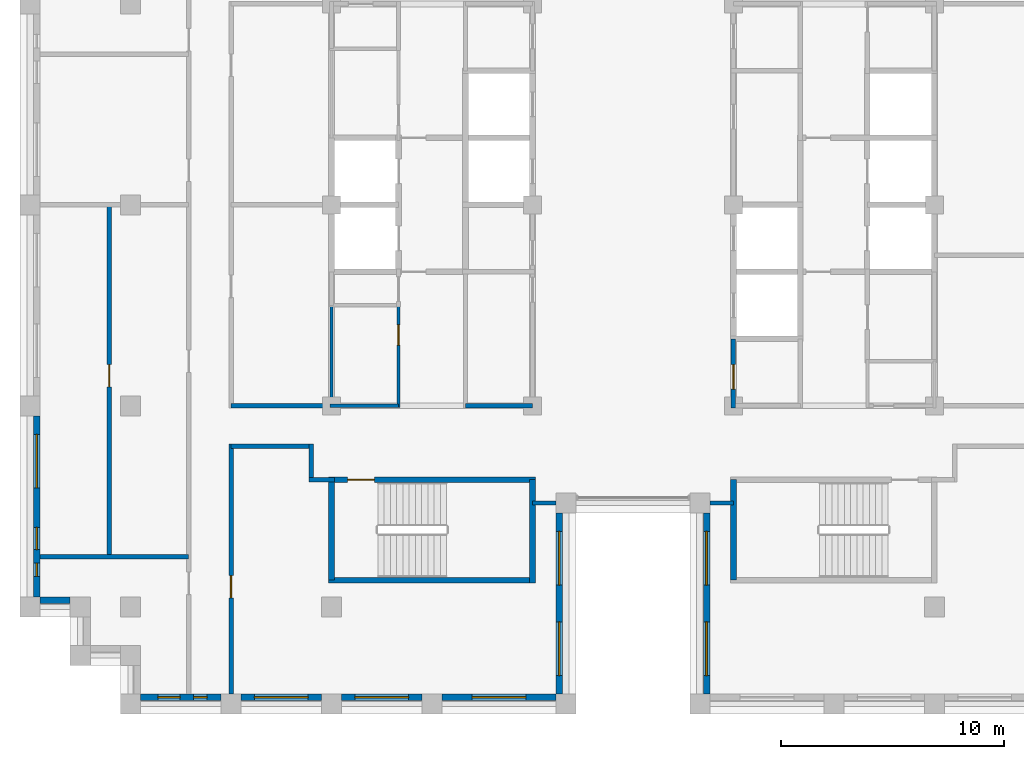
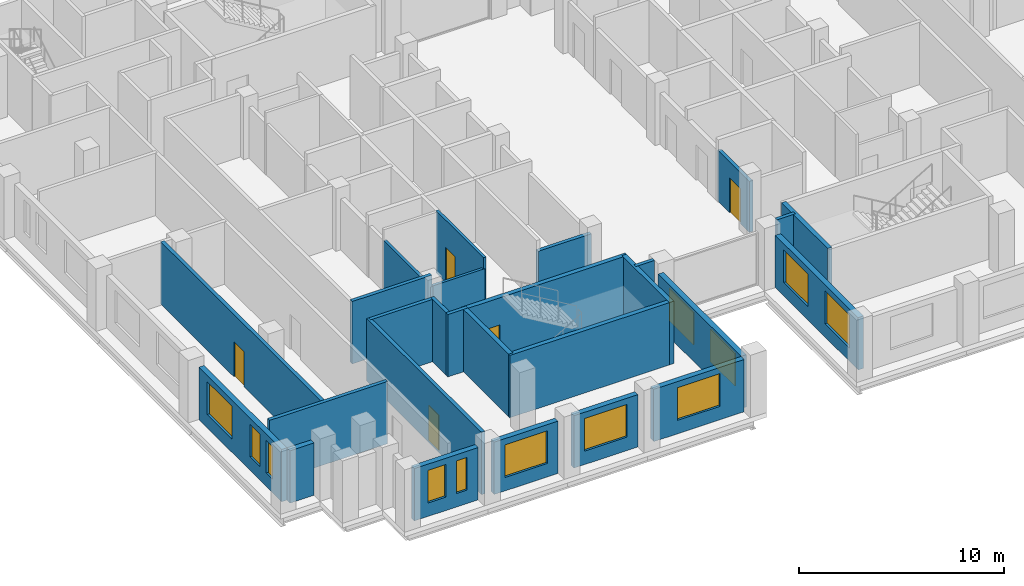
# One storey, part 6 of 13: 27 walls, 12 windows, 5 doors, 17 openings.
"""IFC4 building model written with IfcOpenShell, lengths in metres."""

from ifc_helpers import new_model, si_unit, direction, frame, frame_2d, origin, place, context, subcontext, project, spatial, rectangle, extrude, material, layer, layer_set, type_object, element, fill, save


model = new_model("IFC4")

# Units and contexts
model_context = context("Model", 3, precision=1e-05, world=origin(), true_north=direction((0.0, 1.0)))
body_context = subcontext(model_context, "Body", "Model", "MODEL_VIEW")
ifc_project = project(units=[si_unit("LENGTHUNIT", "METRE"), si_unit("AREAUNIT", "SQUARE_METRE"), si_unit("VOLUMEUNIT", "CUBIC_METRE"), si_unit("PLANEANGLEUNIT", "RADIAN"), si_unit("MASSUNIT", "GRAM", prefix="KILO")], contexts=[model_context])

# Site, building, storey
site_placement = place(None, origin())
site = spatial("IfcSite", under=ifc_project, at=site_placement, CompositionType="ELEMENT")
building_placement = place(site_placement, origin())
building = spatial("IfcBuilding", under=site, at=building_placement, Name="Corbelhall Arena Tower", CompositionType="ELEMENT")
storey_placement = place(building_placement, frame((0.0, 0.0, 270.0)))
storey = spatial("IfcBuildingStorey", under=building, at=storey_placement, Name="L58", CompositionType="ELEMENT", Elevation=270.0)

# Wall, openings, windows
ifc_material_1 = material(Name="Precast concrete C40/50 with granite facing", Category="masonry")
ifc_layer_1 = layer(ifc_material_1, 0.300048828125)
ifc_layer_set_1 = layer_set([ifc_layer_1], Name="EV-IW1 Infill panel 300")
wall_type_1 = type_object("IfcWallType", Name="EV-IW1 Infill panel 300", PredefinedType="SOLIDWALL", material=ifc_layer_set_1)
wall_1_placement = place(storey_placement, frame((-26.699951171875, -9.449951171875, 0.0), z_axis=(0.0, 0.0, 1.0), x_axis=(0.0, -1.0, 0.0)))
wall_1 = element("IfcWall", 1, at=wall_1_placement, inside=storey, type_object=wall_type_1, Name="Infill panel IW1", PredefinedType="SOLIDWALL", context=body_context, shape_type="SweptSolid", body=[
    extrude(rectangle(XDim=8.10009765625, YDim=0.300048828125, at=frame_2d((4.050048828125, 0.0))), origin(), (0.0, 0.0, 1.0), 3.1201171875),
])
opening_1_placement = place(wall_1_placement, frame((0.824951171875, 0.0, 0.800048828125)))
opening_1 = element("IfcOpeningElement", 2, at=opening_1_placement, cuts=wall_1, Name="Opening WN1", PredefinedType="OPENING", context=body_context, shape_type="SweptSolid", body=[
    extrude(rectangle(XDim=2.39990234375, YDim=1.949951171875, at=frame_2d((1.199951171875, 0.97509765625))), frame((0.0, 0.14990234375, 0.0), z_axis=(0.0, -1.0, 0.0), x_axis=(1.0, 0.0, 0.0)), (0.0, 0.0, 1.0), 0.300048828125),
])
opening_2_placement = place(wall_1_placement, frame((4.987548828125, 0.0, 0.800048828125)))
opening_2 = element("IfcOpeningElement", 3, at=opening_2_placement, cuts=wall_1, Name="Opening WN6", PredefinedType="OPENING", context=body_context, shape_type="SweptSolid", body=[
    extrude(rectangle(XDim=1.0, YDim=1.949951171875, at=frame_2d((0.5, 0.97509765625))), frame((0.0, 0.14990234375, 0.0), z_axis=(0.0, -1.0, 0.0), x_axis=(1.0, 0.0, 0.0)), (0.0, 0.0, 1.0), 0.300048828125),
])
opening_3_placement = place(wall_1_placement, frame((6.58740234375, 0.0, 0.800048828125)))
opening_3 = element("IfcOpeningElement", 4, at=opening_3_placement, cuts=wall_1, Name="Opening WN5", PredefinedType="OPENING", context=body_context, shape_type="SweptSolid", body=[
    extrude(rectangle(XDim=0.60009765625, YDim=1.949951171875, at=frame_2d((0.300048828125, 0.97509765625))), frame((0.0, 0.14990234375, 0.0), z_axis=(0.0, -1.0, 0.0), x_axis=(1.0, 0.0, 0.0)), (0.0, 0.0, 1.0), 0.300048828125),
])
ifc_material_2 = material(Name="Aluminium black anodised", Category="aluminium")
window_type_1 = type_object("IfcWindowType", Name="EV-WN1 Office window", PartitioningType="SINGLE_PANEL", PredefinedType="WINDOW", material=ifc_material_2)
window_1_placement = place(opening_1_placement, origin())
window_1 = element("IfcWindow", 5, at=window_1_placement, inside=storey, type_object=window_type_1, Name="Window WN1", OverallHeight=1.949951171875, OverallWidth=2.39990234375, PartitioningType="SINGLE_PANEL", PredefinedType="WINDOW", context=body_context, shape_type="SweptSolid", body=[
    extrude(rectangle(XDim=2.39990234375, YDim=1.949951171875, at=frame_2d((1.199951171875, 0.97509765625))), frame((0.0, 0.030029296875, 0.0), z_axis=(0.0, -1.0, 0.0), x_axis=(1.0, 0.0, 0.0)), (0.0, 0.0, 1.0), 0.06005859375),
])
fill(opening_1, window_1)
window_type_2 = type_object("IfcWindowType", Name="EV-WN5 Office window 600", PartitioningType="SINGLE_PANEL", PredefinedType="WINDOW", material=ifc_material_2)
window_2_placement = place(opening_3_placement, origin())
window_2 = element("IfcWindow", 6, at=window_2_placement, inside=storey, type_object=window_type_2, Name="Window WN5", OverallHeight=1.949951171875, OverallWidth=0.60009765625, PartitioningType="SINGLE_PANEL", PredefinedType="WINDOW", context=body_context, shape_type="SweptSolid", body=[
    extrude(rectangle(XDim=0.60009765625, YDim=1.949951171875, at=frame_2d((0.300048828125, 0.97509765625))), frame((0.0, 0.030029296875, 0.0), z_axis=(0.0, -1.0, 0.0), x_axis=(1.0, 0.0, 0.0)), (0.0, 0.0, 1.0), 0.06005859375),
])
fill(opening_3, window_2)
window_type_3 = type_object("IfcWindowType", Name="EV-WN6 Office window 1000", PartitioningType="SINGLE_PANEL", PredefinedType="WINDOW", material=ifc_material_2)
window_3_placement = place(opening_2_placement, origin())
window_3 = element("IfcWindow", 7, at=window_3_placement, inside=storey, type_object=window_type_3, Name="Window WN6", OverallHeight=1.949951171875, OverallWidth=1.0, PartitioningType="SINGLE_PANEL", PredefinedType="WINDOW", context=body_context, shape_type="SweptSolid", body=[
    extrude(rectangle(XDim=1.0, YDim=1.949951171875, at=frame_2d((0.5, 0.97509765625))), frame((0.0, 0.030029296875, 0.0), z_axis=(0.0, -1.0, 0.0), x_axis=(1.0, 0.0, 0.0)), (0.0, 0.0, 1.0), 0.06005859375),
])
fill(opening_2, window_3)

# Wall
wall_2_placement = place(storey_placement, frame((-26.550048828125, -17.699951171875, 0.0), z_axis=(0.0, 0.0, 1.0), x_axis=(1.0, 0.0, 0.0)))
element("IfcWall", 8, at=wall_2_placement, inside=storey, type_object=wall_type_1, Name="Infill panel IW1", PredefinedType="SOLIDWALL", context=body_context, shape_type="SweptSolid", body=[
    extrude(rectangle(XDim=1.35009765625, YDim=0.300048828125, at=frame_2d((0.675048828125, 0.0))), origin(), (0.0, 0.0, 1.0), 3.1201171875),
])

# Wall, openings, windows
wall_3_placement = place(storey_placement, frame((-22.050048828125, -22.050048828125, 0.0), z_axis=(0.0, 0.0, 1.0), x_axis=(1.0, 0.0, 0.0)))
wall_3 = element("IfcWall", 9, at=wall_3_placement, inside=storey, type_object=wall_type_1, Name="Infill panel IW1", PredefinedType="SOLIDWALL", context=body_context, shape_type="SweptSolid", body=[
    extrude(rectangle(XDim=3.60009765625, YDim=0.300048828125, at=frame_2d((1.800048828125, 0.0))), origin(), (0.0, 0.0, 1.0), 3.1201171875),
])
opening_4_placement = place(wall_3_placement, frame((0.77490234375, 0.0, 0.800048828125)))
opening_4 = element("IfcOpeningElement", 10, at=opening_4_placement, cuts=wall_3, Name="Opening WN6", PredefinedType="OPENING", context=body_context, shape_type="SweptSolid", body=[
    extrude(rectangle(XDim=1.0, YDim=1.949951171875, at=frame_2d((0.5, 0.97509765625))), frame((0.0, 0.14990234375, 0.0), z_axis=(0.0, -1.0, 0.0), x_axis=(1.0, 0.0, 0.0)), (0.0, 0.0, 1.0), 0.300048828125),
])
opening_5_placement = place(wall_3_placement, frame((2.375, 0.0, 0.800048828125)))
opening_5 = element("IfcOpeningElement", 11, at=opening_5_placement, cuts=wall_3, Name="Opening WN5", PredefinedType="OPENING", context=body_context, shape_type="SweptSolid", body=[
    extrude(rectangle(XDim=0.60009765625, YDim=1.949951171875, at=frame_2d((0.300048828125, 0.97509765625))), frame((0.0, 0.14990234375, 0.0), z_axis=(0.0, -1.0, 0.0), x_axis=(1.0, 0.0, 0.0)), (0.0, 0.0, 1.0), 0.300048828125),
])
window_4_placement = place(opening_5_placement, origin())
window_4 = element("IfcWindow", 12, at=window_4_placement, inside=storey, type_object=window_type_2, Name="Window WN5", OverallHeight=1.949951171875, OverallWidth=0.60009765625, PartitioningType="SINGLE_PANEL", PredefinedType="WINDOW", context=body_context, shape_type="SweptSolid", body=[
    extrude(rectangle(XDim=0.60009765625, YDim=1.949951171875, at=frame_2d((0.300048828125, 0.97509765625))), frame((0.0, 0.030029296875, 0.0), z_axis=(0.0, -1.0, 0.0), x_axis=(1.0, 0.0, 0.0)), (0.0, 0.0, 1.0), 0.06005859375),
])
fill(opening_5, window_4)
window_5_placement = place(opening_4_placement, origin())
window_5 = element("IfcWindow", 13, at=window_5_placement, inside=storey, type_object=window_type_3, Name="Window WN6", OverallHeight=1.949951171875, OverallWidth=1.0, PartitioningType="SINGLE_PANEL", PredefinedType="WINDOW", context=body_context, shape_type="SweptSolid", body=[
    extrude(rectangle(XDim=1.0, YDim=1.949951171875, at=frame_2d((0.5, 0.97509765625))), frame((0.0, 0.030029296875, 0.0), z_axis=(0.0, -1.0, 0.0), x_axis=(1.0, 0.0, 0.0)), (0.0, 0.0, 1.0), 0.06005859375),
])
fill(opening_4, window_5)

# Wall, opening, window
wall_4_placement = place(storey_placement, frame((-17.550048828125, -22.050048828125, 0.0), z_axis=(0.0, 0.0, 1.0), x_axis=(1.0, 0.0, 0.0)))
wall_4 = element("IfcWall", 14, at=wall_4_placement, inside=storey, type_object=wall_type_1, Name="Infill panel IW1", PredefinedType="SOLIDWALL", context=body_context, shape_type="SweptSolid", body=[
    extrude(rectangle(XDim=3.60009765625, YDim=0.300048828125, at=frame_2d((1.800048828125, 0.0))), origin(), (0.0, 0.0, 1.0), 3.1201171875),
])
opening_6_placement = place(wall_4_placement, frame((0.60009765625, 0.0, 0.800048828125)))
opening_6 = element("IfcOpeningElement", 15, at=opening_6_placement, cuts=wall_4, Name="Opening WN1", PredefinedType="OPENING", context=body_context, shape_type="SweptSolid", body=[
    extrude(rectangle(XDim=2.39990234375, YDim=1.949951171875, at=frame_2d((1.199951171875, 0.97509765625))), frame((0.0, 0.14990234375, 0.0), z_axis=(0.0, -1.0, 0.0), x_axis=(1.0, 0.0, 0.0)), (0.0, 0.0, 1.0), 0.300048828125),
])
window_6_placement = place(opening_6_placement, origin())
window_6 = element("IfcWindow", 16, at=window_6_placement, inside=storey, type_object=window_type_1, Name="Window WN1", OverallHeight=1.949951171875, OverallWidth=2.39990234375, PartitioningType="SINGLE_PANEL", PredefinedType="WINDOW", context=body_context, shape_type="SweptSolid", body=[
    extrude(rectangle(XDim=2.39990234375, YDim=1.949951171875, at=frame_2d((1.199951171875, 0.97509765625))), frame((0.0, 0.030029296875, 0.0), z_axis=(0.0, -1.0, 0.0), x_axis=(1.0, 0.0, 0.0)), (0.0, 0.0, 1.0), 0.06005859375),
])
fill(opening_6, window_6)

wall_5_placement = place(storey_placement, frame((-13.050048828125, -22.050048828125, 0.0), z_axis=(0.0, 0.0, 1.0), x_axis=(1.0, 0.0, 0.0)))
wall_5 = element("IfcWall", 17, at=wall_5_placement, inside=storey, type_object=wall_type_1, Name="Infill panel IW1", PredefinedType="SOLIDWALL", context=body_context, shape_type="SweptSolid", body=[
    extrude(rectangle(XDim=3.60009765625, YDim=0.300048828125, at=frame_2d((1.800048828125, 0.0))), origin(), (0.0, 0.0, 1.0), 3.1201171875),
])
opening_7_placement = place(wall_5_placement, frame((0.60009765625, 0.0, 0.800048828125)))
opening_7 = element("IfcOpeningElement", 18, at=opening_7_placement, cuts=wall_5, Name="Opening WN1", PredefinedType="OPENING", context=body_context, shape_type="SweptSolid", body=[
    extrude(rectangle(XDim=2.39990234375, YDim=1.949951171875, at=frame_2d((1.199951171875, 0.97509765625))), frame((0.0, 0.14990234375, 0.0), z_axis=(0.0, -1.0, 0.0), x_axis=(1.0, 0.0, 0.0)), (0.0, 0.0, 1.0), 0.300048828125),
])
window_7_placement = place(opening_7_placement, origin())
window_7 = element("IfcWindow", 19, at=window_7_placement, inside=storey, type_object=window_type_1, Name="Window WN1", OverallHeight=1.949951171875, OverallWidth=2.39990234375, PartitioningType="SINGLE_PANEL", PredefinedType="WINDOW", context=body_context, shape_type="SweptSolid", body=[
    extrude(rectangle(XDim=2.39990234375, YDim=1.949951171875, at=frame_2d((1.199951171875, 0.97509765625))), frame((0.0, 0.030029296875, 0.0), z_axis=(0.0, -1.0, 0.0), x_axis=(1.0, 0.0, 0.0)), (0.0, 0.0, 1.0), 0.06005859375),
])
fill(opening_7, window_7)

wall_6_placement = place(storey_placement, frame((-8.550048828125, -22.050048828125, 0.0), z_axis=(0.0, 0.0, 1.0), x_axis=(1.0, 0.0, 0.0)))
wall_6 = element("IfcWall", 20, at=wall_6_placement, inside=storey, type_object=wall_type_1, Name="Infill panel IW1", PredefinedType="SOLIDWALL", context=body_context, shape_type="SweptSolid", body=[
    extrude(rectangle(XDim=5.10009765625, YDim=0.300048828125, at=frame_2d((2.550048828125, 0.0))), origin(), (0.0, 0.0, 1.0), 3.1201171875),
])
opening_8_placement = place(wall_6_placement, frame((1.35009765625, 0.0, 0.800048828125)))
opening_8 = element("IfcOpeningElement", 21, at=opening_8_placement, cuts=wall_6, Name="Opening WN1", PredefinedType="OPENING", context=body_context, shape_type="SweptSolid", body=[
    extrude(rectangle(XDim=2.39990234375, YDim=1.949951171875, at=frame_2d((1.199951171875, 0.97509765625))), frame((0.0, 0.14990234375, 0.0), z_axis=(0.0, -1.0, 0.0), x_axis=(1.0, 0.0, 0.0)), (0.0, 0.0, 1.0), 0.300048828125),
])
window_8_placement = place(opening_8_placement, origin())
window_8 = element("IfcWindow", 22, at=window_8_placement, inside=storey, type_object=window_type_1, Name="Window WN1", OverallHeight=1.949951171875, OverallWidth=2.39990234375, PartitioningType="SINGLE_PANEL", PredefinedType="WINDOW", context=body_context, shape_type="SweptSolid", body=[
    extrude(rectangle(XDim=2.39990234375, YDim=1.949951171875, at=frame_2d((1.199951171875, 0.97509765625))), frame((0.0, 0.030029296875, 0.0), z_axis=(0.0, -1.0, 0.0), x_axis=(1.0, 0.0, 0.0)), (0.0, 0.0, 1.0), 0.06005859375),
])
fill(opening_8, window_8)

# Wall, openings, windows
wall_7_placement = place(storey_placement, frame((-3.300048828125, -21.89990234375, 0.0), z_axis=(0.0, 0.0, 1.0), x_axis=(0.0, 1.0, 0.0)))
wall_7 = element("IfcWall", 23, at=wall_7_placement, inside=storey, type_object=wall_type_1, Name="Infill panel IW1", PredefinedType="SOLIDWALL", context=body_context, shape_type="SweptSolid", body=[
    extrude(rectangle(XDim=8.099853515625, YDim=0.300048828125, at=frame_2d((4.0498046875, 0.0))), origin(), (0.0, 0.0, 1.0), 3.1201171875),
])
opening_9_placement = place(wall_7_placement, frame((0.824951171875, 0.0, 0.800048828125)))
opening_9 = element("IfcOpeningElement", 24, at=opening_9_placement, cuts=wall_7, Name="Opening WN1", PredefinedType="OPENING", context=body_context, shape_type="SweptSolid", body=[
    extrude(rectangle(XDim=2.39990234375, YDim=1.949951171875, at=frame_2d((1.199951171875, 0.97509765625))), frame((0.0, 0.14990234375, 0.0), z_axis=(0.0, -1.0, 0.0), x_axis=(1.0, 0.0, 0.0)), (0.0, 0.0, 1.0), 0.300048828125),
])
opening_10_placement = place(wall_7_placement, frame((4.875, 0.0, 0.800048828125)))
opening_10 = element("IfcOpeningElement", 25, at=opening_10_placement, cuts=wall_7, Name="Opening WN1", PredefinedType="OPENING", context=body_context, shape_type="SweptSolid", body=[
    extrude(rectangle(XDim=2.39990234375, YDim=1.949951171875, at=frame_2d((1.199951171875, 0.97509765625))), frame((0.0, 0.14990234375, 0.0), z_axis=(0.0, -1.0, 0.0), x_axis=(1.0, 0.0, 0.0)), (0.0, 0.0, 1.0), 0.300048828125),
])
window_9_placement = place(opening_9_placement, origin())
window_9 = element("IfcWindow", 26, at=window_9_placement, inside=storey, type_object=window_type_1, Name="Window WN1", OverallHeight=1.949951171875, OverallWidth=2.39990234375, PartitioningType="SINGLE_PANEL", PredefinedType="WINDOW", context=body_context, shape_type="SweptSolid", body=[
    extrude(rectangle(XDim=2.39990234375, YDim=1.949951171875, at=frame_2d((1.199951171875, 0.97509765625))), frame((0.0, 0.030029296875, 0.0), z_axis=(0.0, -1.0, 0.0), x_axis=(1.0, 0.0, 0.0)), (0.0, 0.0, 1.0), 0.06005859375),
])
fill(opening_9, window_9)
window_10_placement = place(opening_10_placement, origin())
window_10 = element("IfcWindow", 27, at=window_10_placement, inside=storey, type_object=window_type_1, Name="Window WN1", OverallHeight=1.949951171875, OverallWidth=2.39990234375, PartitioningType="SINGLE_PANEL", PredefinedType="WINDOW", context=body_context, shape_type="SweptSolid", body=[
    extrude(rectangle(XDim=2.39990234375, YDim=1.949951171875, at=frame_2d((1.199951171875, 0.97509765625))), frame((0.0, 0.030029296875, 0.0), z_axis=(0.0, -1.0, 0.0), x_axis=(1.0, 0.0, 0.0)), (0.0, 0.0, 1.0), 0.06005859375),
])
fill(opening_10, window_10)

wall_8_placement = place(storey_placement, frame((3.300048828125, -13.800048828125, 0.0), z_axis=(0.0, 0.0, 1.0), x_axis=(0.0, -1.0, 0.0)))
wall_8 = element("IfcWall", 28, at=wall_8_placement, inside=storey, type_object=wall_type_1, Name="Infill panel IW1", PredefinedType="SOLIDWALL", context=body_context, shape_type="SweptSolid", body=[
    extrude(rectangle(XDim=8.099853515625, YDim=0.300048828125, at=frame_2d((4.0498046875, 0.0))), origin(), (0.0, 0.0, 1.0), 3.1201171875),
])
opening_11_placement = place(wall_8_placement, frame((0.824951171875, 0.0, 0.800048828125)))
opening_11 = element("IfcOpeningElement", 29, at=opening_11_placement, cuts=wall_8, Name="Opening WN1", PredefinedType="OPENING", context=body_context, shape_type="SweptSolid", body=[
    extrude(rectangle(XDim=2.39990234375, YDim=1.949951171875, at=frame_2d((1.199951171875, 0.97509765625))), frame((0.0, 0.14990234375, 0.0), z_axis=(0.0, -1.0, 0.0), x_axis=(1.0, 0.0, 0.0)), (0.0, 0.0, 1.0), 0.300048828125),
])
opening_12_placement = place(wall_8_placement, frame((4.875, 0.0, 0.800048828125)))
opening_12 = element("IfcOpeningElement", 30, at=opening_12_placement, cuts=wall_8, Name="Opening WN1", PredefinedType="OPENING", context=body_context, shape_type="SweptSolid", body=[
    extrude(rectangle(XDim=2.39990234375, YDim=1.949951171875, at=frame_2d((1.199951171875, 0.97509765625))), frame((0.0, 0.14990234375, 0.0), z_axis=(0.0, -1.0, 0.0), x_axis=(1.0, 0.0, 0.0)), (0.0, 0.0, 1.0), 0.300048828125),
])
window_11_placement = place(opening_11_placement, origin())
window_11 = element("IfcWindow", 31, at=window_11_placement, inside=storey, type_object=window_type_1, Name="Window WN1", OverallHeight=1.949951171875, OverallWidth=2.39990234375, PartitioningType="SINGLE_PANEL", PredefinedType="WINDOW", context=body_context, shape_type="SweptSolid", body=[
    extrude(rectangle(XDim=2.39990234375, YDim=1.949951171875, at=frame_2d((1.199951171875, 0.97509765625))), frame((0.0, 0.030029296875, 0.0), z_axis=(0.0, -1.0, 0.0), x_axis=(1.0, 0.0, 0.0)), (0.0, 0.0, 1.0), 0.06005859375),
])
fill(opening_11, window_11)
window_12_placement = place(opening_12_placement, origin())
window_12 = element("IfcWindow", 32, at=window_12_placement, inside=storey, type_object=window_type_1, Name="Window WN1", OverallHeight=1.949951171875, OverallWidth=2.39990234375, PartitioningType="SINGLE_PANEL", PredefinedType="WINDOW", context=body_context, shape_type="SweptSolid", body=[
    extrude(rectangle(XDim=2.39990234375, YDim=1.949951171875, at=frame_2d((1.199951171875, 0.97509765625))), frame((0.0, 0.030029296875, 0.0), z_axis=(0.0, -1.0, 0.0), x_axis=(1.0, 0.0, 0.0)), (0.0, 0.0, 1.0), 0.06005859375),
])
fill(opening_12, window_12)

# Wall
ifc_material_3 = material(Name="Gypsum board on steel stud, acoustic", Category="steel")
ifc_layer_2 = layer(ifc_material_3, 0.199951171875)
ifc_layer_set_2 = layer_set([ifc_layer_2], Name="IN-W-DM200")
wall_type_2 = type_object("IfcWallType", Name="IN-W-DM200", PredefinedType="PARTITIONING", material=ifc_layer_set_2)
wall_9_placement = place(storey_placement, frame((-26.550048828125, -15.75, 0.0), z_axis=(0.0, 0.0, 1.0), x_axis=(1.0, 0.0, 0.0)))
element("IfcWall", 33, at=wall_9_placement, inside=storey, type_object=wall_type_2, Name="Partition 001", PredefinedType="PARTITIONING", context=body_context, shape_type="SweptSolid", body=[
    extrude(rectangle(XDim=6.650146484375, YDim=0.199951171875, at=frame_2d((3.3251953125, 0.0))), origin(), (0.0, 0.0, 1.0), 3.719970703125),
])

# Wall, opening, door
wall_10_placement = place(storey_placement, frame((-23.449951171875, -15.75, 0.0), z_axis=(0.0, 0.0, 1.0), x_axis=(0.0, 1.0, 0.0)))
wall_10 = element("IfcWall", 34, at=wall_10_placement, inside=storey, type_object=wall_type_2, Name="Partition 004", PredefinedType="PARTITIONING", context=body_context, shape_type="SweptSolid", body=[
    extrude(rectangle(XDim=15.75, YDim=0.199951171875, at=frame_2d((7.875, 0.0))), origin(), (0.0, 0.0, 1.0), 3.719970703125),
])
opening_13_placement = place(wall_10_placement, frame((7.60009765625, 0.0, 0.0)))
opening_13 = element("IfcOpeningElement", 35, at=opening_13_placement, cuts=wall_10, Name="Opening 18035", PredefinedType="OPENING", context=body_context, shape_type="SweptSolid", body=[
    extrude(rectangle(XDim=1.0, YDim=2.10009765625, at=frame_2d((0.5, 1.050048828125))), frame((0.0, 0.10009765625, 0.0), z_axis=(0.0, -1.0, 0.0), x_axis=(1.0, 0.0, 0.0)), (0.0, 0.0, 1.0), 0.199951171875),
])
ifc_material_4 = material(Name="Steel door set", Category="steel")
door_type_1 = type_object("IfcDoorType", Name="IN-D-SW100", OperationType="NOTDEFINED", PredefinedType="DOOR", material=ifc_material_4)
door_1_placement = place(opening_13_placement, origin())
door_1 = element("IfcDoor", 36, at=door_1_placement, inside=storey, type_object=door_type_1, Name="Door 035", OperationType="SINGLE_SWING_RIGHT", OverallHeight=2.10009765625, OverallWidth=1.0, PredefinedType="DOOR", context=body_context, shape_type="SweptSolid", body=[
    extrude(rectangle(XDim=1.0, YDim=2.10009765625, at=frame_2d((0.5, 1.050048828125))), frame((0.0, 0.02490234375, 0.0), z_axis=(0.0, -1.0, 0.0), x_axis=(1.0, 0.0, 0.0)), (0.0, 0.0, 1.0), 0.050048828125),
])
fill(opening_13, door_1)

wall_11_placement = place(storey_placement, frame((-18.0, -10.699951171875, 0.0), z_axis=(0.0, 0.0, 1.0), x_axis=(0.0, -1.0, 0.0)))
wall_11 = element("IfcWall", 37, at=wall_11_placement, inside=storey, type_object=wall_type_2, Name="Partition 009", PredefinedType="PARTITIONING", context=body_context, shape_type="SweptSolid", body=[
    extrude(rectangle(XDim=11.199951171875, YDim=0.199951171875, at=frame_2d((5.60009765625, 0.0))), origin(), (0.0, 0.0, 1.0), 3.719970703125),
])
opening_14_placement = place(wall_11_placement, frame((5.89990234375, 0.0, 0.0)))
opening_14 = element("IfcOpeningElement", 38, at=opening_14_placement, cuts=wall_11, Name="Opening 18028", PredefinedType="OPENING", context=body_context, shape_type="SweptSolid", body=[
    extrude(rectangle(XDim=1.0, YDim=2.10009765625, at=frame_2d((0.5, 1.050048828125))), frame((0.0, 0.10009765625, 0.0), z_axis=(0.0, -1.0, 0.0), x_axis=(1.0, 0.0, 0.0)), (0.0, 0.0, 1.0), 0.199951171875),
])
door_2_placement = place(opening_14_placement, origin())
door_2 = element("IfcDoor", 39, at=door_2_placement, inside=storey, type_object=door_type_1, Name="Door 028", OperationType="SINGLE_SWING_LEFT", OverallHeight=2.10009765625, OverallWidth=1.0, PredefinedType="DOOR", context=body_context, shape_type="SweptSolid", body=[
    extrude(rectangle(XDim=1.0, YDim=2.10009765625, at=frame_2d((0.5, 1.050048828125))), frame((0.0, 0.02490234375, 0.0), z_axis=(0.0, -1.0, 0.0), x_axis=(1.0, 0.0, 0.0)), (0.0, 0.0, 1.0), 0.050048828125),
])
fill(opening_14, door_2)

# Walls
wall_12_placement = place(storey_placement, frame((-18.0, -9.0, 0.0), z_axis=(0.0, 0.0, 1.0), x_axis=(1.0, 0.0, 0.0)))
element("IfcWall", 40, at=wall_12_placement, inside=storey, type_object=wall_type_2, Name="Partition 010", PredefinedType="PARTITIONING", context=body_context, shape_type="SweptSolid", body=[
    extrude(rectangle(XDim=4.5, YDim=0.199951171875, at=frame_2d((2.25, 0.0))), origin(), (0.0, 0.0, 1.0), 3.719970703125),
])
wall_13_placement = place(storey_placement, frame((-14.39990234375, -12.300048828125, 0.0), z_axis=(0.0, 0.0, 1.0), x_axis=(0.0, 1.0, 0.0)))
element("IfcWall", 41, at=wall_13_placement, inside=storey, type_object=wall_type_2, Name="Partition 018", PredefinedType="PARTITIONING", context=body_context, shape_type="SweptSolid", body=[
    extrude(rectangle(XDim=1.60009765625, YDim=0.199951171875, at=frame_2d((0.800048828125, 0.0))), origin(), (0.0, 0.0, 1.0), 3.719970703125),
])
wall_14_placement = place(storey_placement, frame((-14.39990234375, -10.800048828125, 0.0), z_axis=(0.0, 0.0, 1.0), x_axis=(-1.0, 0.0, 0.0)))
element("IfcWall", 42, at=wall_14_placement, inside=storey, type_object=wall_type_2, Name="Partition 019", PredefinedType="PARTITIONING", context=body_context, shape_type="SweptSolid", body=[
    extrude(rectangle(XDim=3.60009765625, YDim=0.199951171875, at=frame_2d((1.800048828125, 0.0))), origin(), (0.0, 0.0, 1.0), 3.719970703125),
])
wall_15_placement = place(storey_placement, frame((-13.375, -12.300048828125, 0.0), z_axis=(0.0, 0.0, 1.0), x_axis=(-1.0, 0.0, 0.0)))
element("IfcWall", 43, at=wall_15_placement, inside=storey, type_object=wall_type_2, Name="Partition 022", PredefinedType="PARTITIONING", context=body_context, shape_type="SweptSolid", body=[
    extrude(rectangle(XDim=1.125, YDim=0.199951171875, at=frame_2d((0.5625, 0.0))), origin(), (0.0, 0.0, 1.0), 3.719970703125),
])
for number, where, z_axis, x_axis, name in (
    (44, (-3.449951171875, -13.35009765625, 0.0), (0.0, 0.0, 1.0), (-1.0, 0.0, 0.0), "Partition 024"),
    (45, (4.5, -13.35009765625, 0.0), (0.0, 0.0, 1.0), (-1.0, 0.0, 0.0), "Partition 026"),
):
    element("IfcWall", number, at=place(storey_placement, frame(where, z_axis=z_axis, x_axis=x_axis)), inside=storey, type_object=wall_type_2, Name=name, PredefinedType="PARTITIONING", context=body_context, shape_type="SweptSolid", body=[
        extrude(rectangle(XDim=1.050048828125, YDim=0.199951171875, at=frame_2d((0.52490234375, 0.0))), origin(), (0.0, 0.0, 1.0), 3.719970703125),
    ])
ifc_material_5 = material(Name="Concrete block wall", Category="concrete")
ifc_layer_3 = layer(ifc_material_5, 0.199951171875)
ifc_layer_set_3 = layer_set([ifc_layer_3], Name="IN-W-RS200 under beam 678 mm")
wall_type_3 = type_object("IfcWallType", Name="IN-W-RS200 under beam 678 mm", PredefinedType="SOLIDWALL", material=ifc_layer_set_3)
wall_16_placement = place(storey_placement, frame((-4.5, -9.0, 0.0), z_axis=(0.0, 0.0, 1.0), x_axis=(-1.0, 0.0, 0.0)))
element("IfcWall", 46, at=wall_16_placement, inside=storey, type_object=wall_type_3, Name="Partition 052", PredefinedType="SOLIDWALL", context=body_context, shape_type="SweptSolid", body=[
    extrude(rectangle(XDim=3.0, YDim=0.199951171875, at=frame_2d((1.5, 0.0))), origin(), (0.0, 0.0, 1.0), 3.041748046875),
])

# Wall, opening, door
wall_17_placement = place(storey_placement, frame((4.5, -9.10009765625, 0.0), z_axis=(0.0, 0.0, 1.0), x_axis=(0.0, 1.0, 0.0)))
wall_17 = element("IfcWall", 47, at=wall_17_placement, inside=storey, type_object=wall_type_3, Name="Partition 056", PredefinedType="SOLIDWALL", context=body_context, shape_type="SweptSolid", body=[
    extrude(rectangle(XDim=3.10009765625, YDim=0.199951171875, at=frame_2d((1.550048828125, 0.0))), origin(), (0.0, 0.0, 1.0), 3.041748046875),
])
opening_15_placement = place(wall_17_placement, frame((0.85009765625, 0.0, 0.0)))
opening_15 = element("IfcOpeningElement", 48, at=opening_15_placement, cuts=wall_17, Name="Opening 18010", PredefinedType="OPENING", context=body_context, shape_type="SweptSolid", body=[
    extrude(rectangle(XDim=1.10009765625, YDim=2.10009765625, at=frame_2d((0.550048828125, 1.050048828125))), frame((0.0, 0.10009765625, 0.0), z_axis=(0.0, -1.0, 0.0), x_axis=(1.0, 0.0, 0.0)), (0.0, 0.0, 1.0), 0.199951171875),
])
door_type_2 = type_object("IfcDoorType", Name="IN-D-FD110", OperationType="NOTDEFINED", PredefinedType="DOOR", material=ifc_material_4)
door_3_placement = place(opening_15_placement, origin())
door_3 = element("IfcDoor", 49, at=door_3_placement, inside=storey, type_object=door_type_2, Name="Door 010", OperationType="SINGLE_SWING_LEFT", OverallHeight=2.10009765625, OverallWidth=1.10009765625, PredefinedType="DOOR", context=body_context, shape_type="SweptSolid", body=[
    extrude(rectangle(XDim=1.10009765625, YDim=2.10009765625, at=frame_2d((0.550048828125, 1.050048828125))), frame((0.0, 0.02490234375, 0.0), z_axis=(0.0, -1.0, 0.0), x_axis=(1.0, 0.0, 0.0)), (0.0, 0.0, 1.0), 0.050048828125),
])
fill(opening_15, door_3)

# Walls
ifc_material_6 = material(Name="Concrete C40/50", Category="concrete")
ifc_layer_4 = layer(ifc_material_6, 0.25)
ifc_layer_set_4 = layer_set([ifc_layer_4], Name="IN-W-ST250")
wall_type_4 = type_object("IfcWallType", Name="IN-W-ST250", PredefinedType="SOLIDWALL", material=ifc_layer_set_4)
wall_18_placement = place(storey_placement, frame((-13.5, -16.800048828125, 0.0), z_axis=(0.0, 0.0, 1.0), x_axis=(0.0, 1.0, 0.0)))
element("IfcWall", 50, at=wall_18_placement, inside=storey, type_object=wall_type_4, Name="Shaft wall 088", PredefinedType="SOLIDWALL", context=body_context, shape_type="SweptSolid", body=[
    extrude(rectangle(XDim=4.5, YDim=0.25, at=frame_2d((2.25, 0.0))), origin(), (0.0, 0.0, 1.0), 3.719970703125),
])
wall_19_placement = place(storey_placement, frame((-4.5, -16.800048828125, 0.0), z_axis=(0.0, 0.0, 1.0), x_axis=(-1.0, 0.0, 0.0)))
element("IfcWall", 51, at=wall_19_placement, inside=storey, type_object=wall_type_4, Name="Shaft wall 090", PredefinedType="SOLIDWALL", context=body_context, shape_type="SweptSolid", body=[
    extrude(rectangle(XDim=9.125, YDim=0.25, at=frame_2d((4.5625, 0.0))), origin(), (0.0, 0.0, 1.0), 3.719970703125),
])
wall_20_placement = place(storey_placement, frame((-4.5, -12.300048828125, 0.0), z_axis=(0.0, 0.0, 1.0), x_axis=(0.0, -1.0, 0.0)))
element("IfcWall", 52, at=wall_20_placement, inside=storey, type_object=wall_type_4, Name="Shaft wall 091", PredefinedType="SOLIDWALL", context=body_context, shape_type="SweptSolid", body=[
    extrude(rectangle(XDim=4.625, YDim=0.25, at=frame_2d((2.3125, 0.0))), origin(), (0.0, 0.0, 1.0), 3.719970703125),
])

# Wall, opening, door
wall_21_placement = place(storey_placement, frame((-4.375, -12.300048828125, 0.0), z_axis=(0.0, 0.0, 1.0), x_axis=(-1.0, 0.0, 0.0)))
wall_21 = element("IfcWall", 53, at=wall_21_placement, inside=storey, type_object=wall_type_4, Name="Shaft wall 093", PredefinedType="SOLIDWALL", context=body_context, shape_type="SweptSolid", body=[
    extrude(rectangle(XDim=9.25, YDim=0.25, at=frame_2d((4.625, 0.0))), origin(), (0.0, 0.0, 1.0), 3.719970703125),
])
opening_16_placement = place(wall_21_placement, frame((7.199951171875, 0.0, 0.0)))
opening_16 = element("IfcOpeningElement", 54, at=opening_16_placement, cuts=wall_21, Name="Opening 18019", PredefinedType="OPENING", context=body_context, shape_type="SweptSolid", body=[
    extrude(rectangle(XDim=1.199951171875, YDim=2.10009765625, at=frame_2d((0.60009765625, 1.050048828125))), frame((0.0, 0.125, 0.0), z_axis=(0.0, -1.0, 0.0), x_axis=(1.0, 0.0, 0.0)), (0.0, 0.0, 1.0), 0.25),
])
door_type_3 = type_object("IfcDoorType", Name="IN-D-ST120", OperationType="NOTDEFINED", PredefinedType="DOOR", material=ifc_material_4)
door_4_placement = place(opening_16_placement, origin())
door_4 = element("IfcDoor", 55, at=door_4_placement, inside=storey, type_object=door_type_3, Name="Door 019", OperationType="SINGLE_SWING_RIGHT", OverallHeight=2.10009765625, OverallWidth=1.199951171875, PredefinedType="DOOR", context=body_context, shape_type="SweptSolid", body=[
    extrude(rectangle(XDim=1.199951171875, YDim=2.10009765625, at=frame_2d((0.60009765625, 1.050048828125))), frame((0.0, 0.02490234375, 0.0), z_axis=(0.0, -1.0, 0.0), x_axis=(1.0, 0.0, 0.0)), (0.0, 0.0, 1.0), 0.050048828125),
])
fill(opening_16, door_4)

# Wall
wall_22_placement = place(storey_placement, frame((4.5, -16.800048828125, 0.0), z_axis=(0.0, 0.0, 1.0), x_axis=(0.0, 1.0, 0.0)))
element("IfcWall", 56, at=wall_22_placement, inside=storey, type_object=wall_type_4, Name="Shaft wall 096", PredefinedType="SOLIDWALL", context=body_context, shape_type="SweptSolid", body=[
    extrude(rectangle(XDim=4.5, YDim=0.25, at=frame_2d((2.25, 0.0))), origin(), (0.0, 0.0, 1.0), 3.719970703125),
])

# Wall, opening, door
ifc_material_7 = material(Name="Gypsum board on steel stud, moisture resistant", Category="steel")
ifc_layer_5 = layer(ifc_material_7, 0.14990234375)
ifc_layer_set_5 = layer_set([ifc_layer_5], Name="IN-W-WC150")
wall_type_5 = type_object("IfcWallType", Name="IN-W-WC150", PredefinedType="PARTITIONING", material=ifc_layer_set_5)
wall_23_placement = place(storey_placement, frame((-10.5, -9.074951171875, 0.0), z_axis=(0.0, 0.0, 1.0), x_axis=(0.0, 1.0, 0.0)))
wall_23 = element("IfcWall", 57, at=wall_23_placement, inside=storey, type_object=wall_type_5, Name="Partition 106", PredefinedType="PARTITIONING", context=body_context, shape_type="SweptSolid", body=[
    extrude(rectangle(XDim=4.64990234375, YDim=0.14990234375, at=frame_2d((2.324951171875, 0.0))), origin(), (0.0, 0.0, 1.0), 3.719970703125),
])
opening_17_placement = place(wall_23_placement, frame((2.800048828125, 0.0, 0.0)))
opening_17 = element("IfcOpeningElement", 58, at=opening_17_placement, cuts=wall_23, Name="Opening 18006", PredefinedType="OPENING", context=body_context, shape_type="SweptSolid", body=[
    extrude(rectangle(XDim=0.89990234375, YDim=2.10009765625, at=frame_2d((0.449951171875, 1.050048828125))), frame((0.0, 0.074951171875, 0.0), z_axis=(0.0, -1.0, 0.0), x_axis=(1.0, 0.0, 0.0)), (0.0, 0.0, 1.0), 0.14990234375),
])
ifc_material_8 = material(Name="Timber door set", Category="wood")
door_type_4 = type_object("IfcDoorType", Name="IN-D-SW90", OperationType="NOTDEFINED", PredefinedType="DOOR", material=ifc_material_8)
door_5_placement = place(opening_17_placement, origin())
door_5 = element("IfcDoor", 59, at=door_5_placement, inside=storey, type_object=door_type_4, Name="Door 006", OperationType="SINGLE_SWING_LEFT", OverallHeight=2.10009765625, OverallWidth=0.89990234375, PredefinedType="DOOR", context=body_context, shape_type="SweptSolid", body=[
    extrude(rectangle(XDim=0.89990234375, YDim=2.10009765625, at=frame_2d((0.449951171875, 1.050048828125))), frame((0.0, 0.02490234375, 0.0), z_axis=(0.0, -1.0, 0.0), x_axis=(1.0, 0.0, 0.0)), (0.0, 0.0, 1.0), 0.050048828125),
])
fill(opening_17, door_5)

# Walls
ifc_layer_6 = layer(ifc_material_7, 0.14990234375)
ifc_layer_set_6 = layer_set([ifc_layer_6], Name="IN-W-WC150 under beam 678 mm")
wall_type_6 = type_object("IfcWallType", Name="IN-W-WC150 under beam 678 mm", PredefinedType="PARTITIONING", material=ifc_layer_set_6)
wall_24_placement = place(storey_placement, frame((-13.5, -9.10009765625, 0.0), z_axis=(0.0, 0.0, 1.0), x_axis=(0.0, 1.0, 0.0)))
element("IfcWall", 60, at=wall_24_placement, inside=storey, type_object=wall_type_6, Name="Partition 104", PredefinedType="PARTITIONING", context=body_context, shape_type="SweptSolid", body=[
    extrude(rectangle(XDim=4.60009765625, YDim=0.14990234375, at=frame_2d((2.300048828125, 0.0))), origin(), (0.0, 0.0, 1.0), 3.041748046875),
])
wall_25_placement = place(storey_placement, frame((-10.5, -9.0, 0.0), z_axis=(0.0, 0.0, 1.0), x_axis=(-1.0, 0.0, 0.0)))
element("IfcWall", 61, at=wall_25_placement, inside=storey, type_object=wall_type_6, Name="Partition 107", PredefinedType="PARTITIONING", context=body_context, shape_type="SweptSolid", body=[
    extrude(rectangle(XDim=3.074951171875, YDim=0.14990234375, at=frame_2d((1.53759765625, 0.0))), origin(), (0.0, 0.0, 1.0), 3.041748046875),
])

save(model, "model.ifc")
